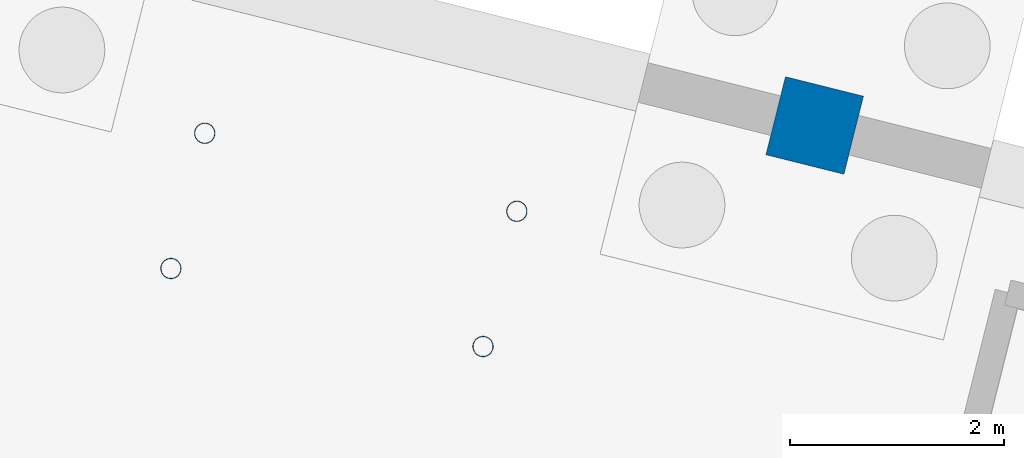
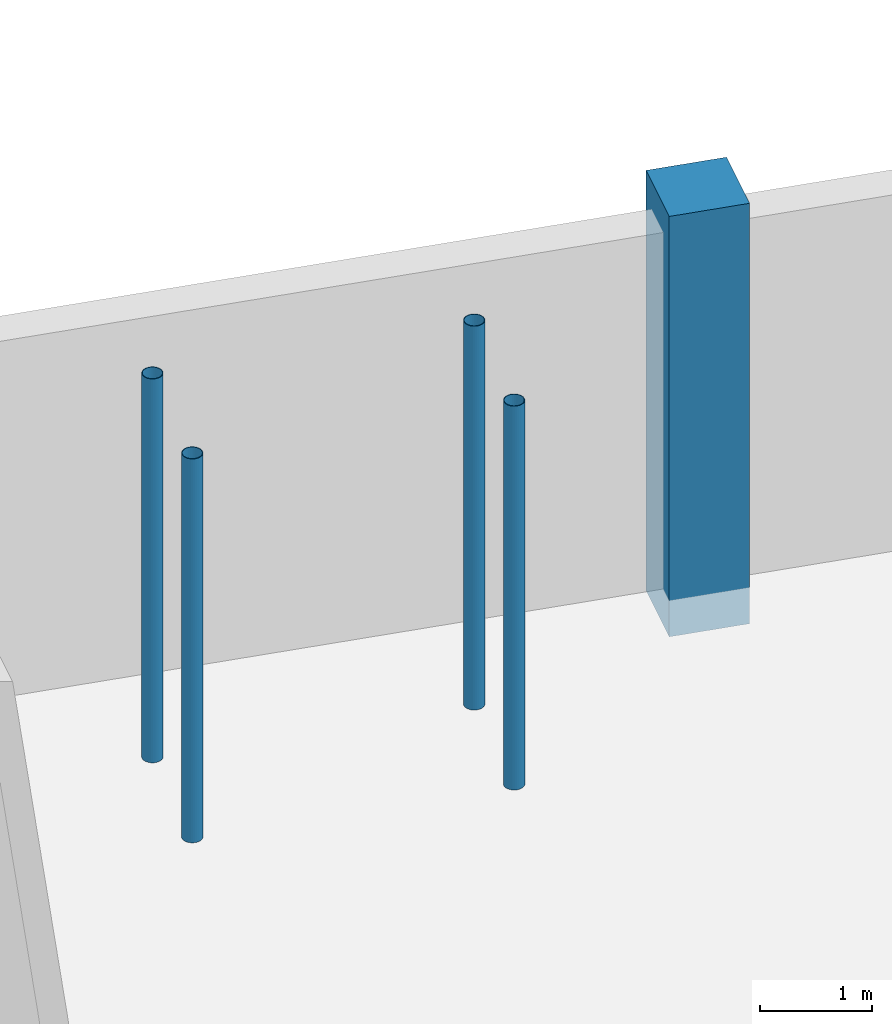
# One storey, part 16 of 36: 5 columns.
"""IFC4 building model written with IfcOpenShell, lengths in metres."""

from ifc_helpers import new_model, si_unit, derived_unit, direction, frame, origin, origin_2d, place, context, subcontext, project, spatial, rectangle, hollow_circle, extrude, material, material_profile, profile_set, type_object, element, save


model = new_model("IFC4")

# Units and contexts
model_context = context("Model", 3, precision=1e-05, world=origin(), true_north=direction((0.0, 1.0)))
body_context = subcontext(model_context, "Body", "Model", "MODEL_VIEW")
ifc_project = project(units=[si_unit("LENGTHUNIT", "METRE"), si_unit("AREAUNIT", "SQUARE_METRE"), si_unit("VOLUMEUNIT", "CUBIC_METRE"), si_unit("PLANEANGLEUNIT", "RADIAN"), si_unit("MASSUNIT", "GRAM", prefix="KILO"), si_unit("THERMODYNAMICTEMPERATUREUNIT", "KELVIN"), si_unit("TIMEUNIT", "SECOND"), derived_unit("THERMALTRANSMITTANCEUNIT", [(si_unit("MASSUNIT", "GRAM", prefix="KILO"), 1), (si_unit("THERMODYNAMICTEMPERATUREUNIT", "KELVIN"), -1), (si_unit("TIMEUNIT", "SECOND"), -3)])], contexts=[model_context])

# Site, building, storey
site_placement = place(None, origin())
site = spatial("IfcSite", under=ifc_project, at=site_placement, CompositionType="ELEMENT")
building_placement = place(site_placement, origin())
building = spatial("IfcBuilding", under=site, at=building_placement, Name="Cambertide Market Hall", CompositionType="ELEMENT")
storey_placement = place(building_placement, frame((0.0, 0.0, -4.199951171875)))
storey = spatial("IfcBuildingStorey", under=building, at=storey_placement, Name="B1", CompositionType="ELEMENT", Elevation=-4.199951171875)

# Columns
ifc_material_1 = material(Name="Concrete B35", Category="concrete")
ifc_material_profile_1 = material_profile(ifc_material_1, rectangle(XDim=0.75, YDim=0.75, at=origin_2d()), Name="RC 750x750")
ifc_profile_set_1 = profile_set([ifc_material_profile_1], Name="Concrete B35")
column_type_1 = type_object("IfcColumnType", Name="Concrete Column RC 750x750", PredefinedType="COLUMN", material=ifc_profile_set_1)
column_placement = place(storey_placement, frame((137.831787109375, 120.373046875, -0.400146484375), z_axis=(0.0, 0.0, 1.0), x_axis=(0.970142500145, -0.242535625038, 0.0)))
element("IfcColumn", 1, at=column_placement, inside=storey, type_object=column_type_1, Name="Basement 1 Column COL-V4-4-4-B1", PredefinedType="COLUMN", context=body_context, shape_type="SweptSolid", body=[
    extrude(rectangle(XDim=0.75, YDim=0.75, at=origin_2d()), origin(), (0.0, 0.0, 1.0), 4.60009765625),
])
ifc_material_2 = material(Name="Steel S355", Category="steel")
ifc_material_profile_2 = material_profile(ifc_material_2, hollow_circle(Radius=0.096923828125, WallThickness=0.00634765625, at=origin_2d()), Name="CHS 193.7x6.3")
ifc_profile_set_2 = profile_set([ifc_material_profile_2], Name="Steel S355")
column_type_2 = type_object("IfcColumnType", Name="Steel Column CHS 193.7x6.3", PredefinedType="COLUMN", material=ifc_profile_set_2)
for number, where, z_axis, x_axis, name in (
    (2, (134.739501953125, 118.3115234375, 0.0), (0.0, 0.0, 1.0), (1.0, 0.0, 0.0), "Basement 1 Column COL-MPST-ST13-1-B1"),
    (3, (131.8291015625, 119.0390625, 0.0), (0.0, 0.0, 1.0), (1.0, 0.0, 0.0), "Basement 1 Column COL-MPST-ST13-2-B1"),
    (4, (135.054931640625, 119.572509765625, 0.0), (0.0, 0.0, 1.0), (1.0, 0.0, 0.0), "Basement 1 Column COL-MPST-ST13-3-B1"),
    (5, (132.14453125, 120.30029296875, 0.0), (0.0, 0.0, 1.0), (1.0, 0.0, 0.0), "Basement 1 Column COL-MPST-ST13-4-B1"),
):
    element("IfcColumn", number, at=place(storey_placement, frame(where, z_axis=z_axis, x_axis=x_axis)), inside=storey, type_object=column_type_2, Name=name, PredefinedType="COLUMN", context=body_context, shape_type="SweptSolid", body=[
        extrude(hollow_circle(Radius=0.096923828125, WallThickness=0.00634765625, at=origin_2d()), origin(), (0.0, 0.0, 1.0), 4.199951171875),
    ])

save(model, "model.ifc")
